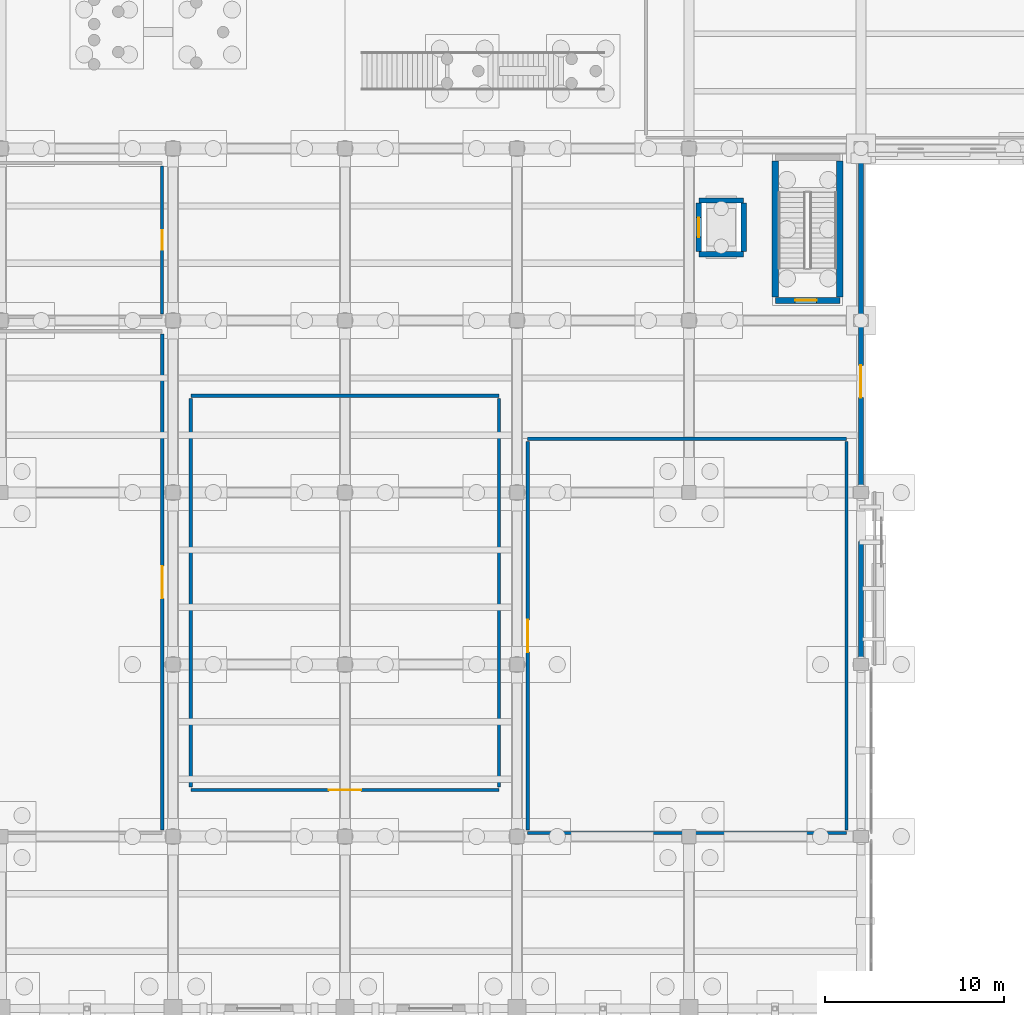
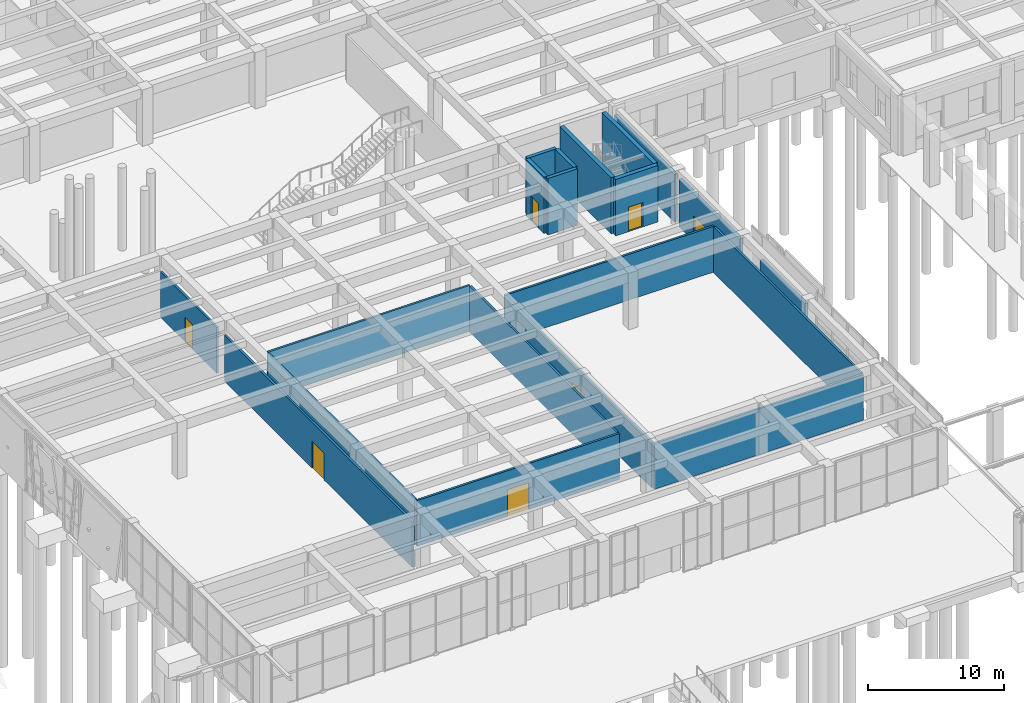
# One storey, part 31 of 51: 20 walls, 7 doors, 7 openings.
"""IFC4 building model written with IfcOpenShell, lengths in metres."""

from ifc_helpers import new_model, si_unit, direction, frame, frame_2d, origin, place, context, subcontext, project, spatial, rectangle, extrude, material, layer, layer_set, type_object, element, fill, save


model = new_model("IFC4")

# Units and contexts
model_context = context("Model", 3, precision=1e-05, world=origin(), true_north=direction((0.0, 1.0)))
body_context = subcontext(model_context, "Body", "Model", "MODEL_VIEW")
ifc_project = project(units=[si_unit("LENGTHUNIT", "METRE"), si_unit("AREAUNIT", "SQUARE_METRE"), si_unit("VOLUMEUNIT", "CUBIC_METRE"), si_unit("PLANEANGLEUNIT", "RADIAN"), si_unit("MASSUNIT", "GRAM", prefix="KILO")], contexts=[model_context])

# Site, building, storey
site_placement = place(None, origin())
site = spatial("IfcSite", under=ifc_project, at=site_placement, CompositionType="ELEMENT")
building_placement = place(site_placement, origin())
building = spatial("IfcBuilding", under=site, at=building_placement, Name="Bempovik Park Faculty of Sciences", CompositionType="ELEMENT")
storey_placement = place(building_placement, origin())
storey = spatial("IfcBuildingStorey", under=building, at=storey_placement, Name="L00", CompositionType="ELEMENT", Elevation=0.0)

# Wall
ifc_material_1 = material(Name="Precast concrete C40/50", Category="concrete")
ifc_layer_1 = layer(ifc_material_1, 0.280029296875)
ifc_layer_set_1 = layer_set([ifc_layer_1], Name="Precast concrete C40/50")
wall_type_1 = type_object("IfcWallType", Name="W-25 Wall 280mm", PredefinedType="SOLIDWALL", material=ifc_layer_set_1)
wall_1_placement = place(storey_placement, frame((117.60009765625, 39.326904296875, 0.0), z_axis=(0.0, 0.0, 1.0), x_axis=(0.0, 1.0, 0.0)))
element("IfcWall", 1, at=wall_1_placement, inside=storey, type_object=wall_type_1, Name="L00 Crystal Backup Wall EW-CRYS-L00-6102", PredefinedType="SOLIDWALL", context=body_context, shape_type="SweptSolid", body=[
    extrude(rectangle(XDim=6.5419921875, YDim=0.280029296875, at=frame_2d((3.27099609375, 0.0))), origin(), (0.0, 0.0, 1.0), 4.280029296875),
])

# Wall, opening, door
wall_2_placement = place(storey_placement, frame((117.60009765625, 48.927001953125, 0.0), z_axis=(0.0, 0.0, 1.0), x_axis=(0.0, 1.0, 0.0)))
wall_2 = element("IfcWall", 2, at=wall_2_placement, inside=storey, type_object=wall_type_1, Name="Crystal Core Discharge Wall EW-L00-6127", PredefinedType="SOLIDWALL", context=body_context, shape_type="SweptSolid", body=[
    extrude(rectangle(XDim=8.946044921875, YDim=0.280029296875, at=frame_2d((4.47314453125, 0.0))), origin(), (0.0, 0.0, 1.0), 4.280029296875),
])
opening_1_placement = place(wall_2_placement, frame((4.972900390625, 0.0, 0.0)))
opening_1 = element("IfcOpeningElement", 3, at=opening_1_placement, cuts=wall_2, Name="Opening D-57", PredefinedType="OPENING", context=body_context, shape_type="SweptSolid", body=[
    extrude(rectangle(XDim=1.800048828125, YDim=2.300048828125, at=frame_2d((0.89990234375, 1.14990234375))), frame((0.0, 0.14990234375, 0.0), z_axis=(0.0, -1.0, 0.0), x_axis=(1.0, 0.0, 0.0)), (0.0, 0.0, 1.0), 0.300048828125),
])
ifc_material_2 = material(Name="Painted steel S355", Category="steel")
door_type_1 = type_object("IfcDoorType", Name="D-57 Door 1800x2300", OperationType="NOTDEFINED", PredefinedType="DOOR", material=ifc_material_2)
door_1_placement = place(opening_1_placement, frame((1.800048828125, 0.0, 0.0), z_axis=(0.0, 0.0, 1.0), x_axis=(-1.0, 0.0, 0.0)))
door_1 = element("IfcDoor", 4, at=door_1_placement, inside=storey, type_object=door_type_1, Name="Stair ST-5 Final Court Discharge Door", OperationType="DOUBLE_DOOR_SINGLE_SWING", OverallHeight=2.300048828125, OverallWidth=1.800048828125, PredefinedType="DOOR", context=body_context, shape_type="SweptSolid", body=[
    extrude(rectangle(XDim=1.800048828125, YDim=2.300048828125, at=frame_2d((0.89990234375, 1.14990234375))), frame((0.0, 0.02490234375, 0.0), z_axis=(0.0, -1.0, 0.0), x_axis=(1.0, 0.0, 0.0)), (0.0, 0.0, 1.0), 0.050048828125),
])
fill(opening_1, door_1)

# Walls
wall_3_placement = place(storey_placement, frame((117.60009765625, 58.527099609375, 0.0), z_axis=(0.0, 0.0, 1.0), x_axis=(0.0, 1.0, 0.0)))
element("IfcWall", 5, at=wall_3_placement, inside=storey, type_object=wall_type_1, Name="Crystal Core Discharge Wall EW-L00-6128", PredefinedType="SOLIDWALL", context=body_context, shape_type="SweptSolid", body=[
    extrude(rectangle(XDim=8.870849609375, YDim=0.280029296875, at=frame_2d((4.435546875, 0.0))), origin(), (0.0, 0.0, 1.0), 4.280029296875),
])
ifc_material_3 = material(Name="Concrete C40/50", Category="concrete")
ifc_layer_2 = layer(ifc_material_3, 0.300048828125)
ifc_layer_set_2 = layer_set([ifc_layer_2], Name="Concrete C40/50")
wall_type_2 = type_object("IfcWallType", Name="W-31 Wall 300mm", PredefinedType="SHEAR", material=ifc_layer_set_2)
for number, where, z_axis, x_axis, name in (
    (6, (108.550048828125, 61.89990234375, 0.0), (0.0, 0.0, 1.0), (1.0, 0.0, 0.0), "Lift LF-4 L00 Shaft Wall South"),
    (7, (108.550048828125, 64.89990234375, 0.0), (0.0, 0.0, 1.0), (1.0, 0.0, 0.0), "Lift LF-4 L00 Shaft Wall North"),
):
    element("IfcWall", number, at=place(storey_placement, frame(where, z_axis=z_axis, x_axis=x_axis)), inside=storey, type_object=wall_type_2, Name=name, PredefinedType="SHEAR", context=body_context, shape_type="SweptSolid", body=[
        extrude(rectangle(XDim=2.5, YDim=0.300048828125, at=frame_2d((1.25, 0.0))), origin(), (0.0, 0.0, 1.0), 5.080078125),
    ])

# Wall, opening, door
wall_4_placement = place(storey_placement, frame((108.550048828125, 62.050048828125, 0.0), z_axis=(0.0, 0.0, 1.0), x_axis=(0.0, 1.0, 0.0)))
wall_4 = element("IfcWall", 8, at=wall_4_placement, inside=storey, type_object=wall_type_2, Name="Lift LF-4 L00 Shaft Wall West", PredefinedType="SHEAR", context=body_context, shape_type="SweptSolid", body=[
    extrude(rectangle(XDim=2.699951171875, YDim=0.300048828125, at=frame_2d((1.35009765625, 0.0))), origin(), (0.0, 0.0, 1.0), 5.080078125),
])
opening_2_placement = place(wall_4_placement, frame((0.800048828125, 0.0, 0.0)))
opening_2 = element("IfcOpeningElement", 9, at=opening_2_placement, cuts=wall_4, Name="Opening LD-02", PredefinedType="OPENING", context=body_context, shape_type="SweptSolid", body=[
    extrude(rectangle(XDim=1.10009765625, YDim=2.199951171875, at=frame_2d((0.550048828125, 1.10009765625))), frame((0.0, 0.16015625, 0.0), z_axis=(0.0, -1.0, 0.0), x_axis=(1.0, 0.0, 0.0)), (0.0, 0.0, 1.0), 0.320068359375),
])
ifc_material_4 = material(Name="Anodised aluminium", Category="aluminium")
door_type_2 = type_object("IfcDoorType", Name="LD-02 Door 1100x2200", OperationType="NOTDEFINED", PredefinedType="DOOR", material=ifc_material_4)
door_2_placement = place(opening_2_placement, origin())
door_2 = element("IfcDoor", 10, at=door_2_placement, inside=storey, type_object=door_type_2, Name="Lift LF-4 L00 Sliding Landing Door", OperationType="SLIDING_TO_LEFT", OverallHeight=2.199951171875, OverallWidth=1.10009765625, PredefinedType="DOOR", context=body_context, shape_type="SweptSolid", body=[
    extrude(rectangle(XDim=1.10009765625, YDim=2.199951171875, at=frame_2d((0.550048828125, 1.10009765625))), frame((0.0, 0.02490234375, 0.0), z_axis=(0.0, -1.0, 0.0), x_axis=(1.0, 0.0, 0.0)), (0.0, 0.0, 1.0), 0.050048828125),
])
fill(opening_2, door_2)

# Wall
wall_5_placement = place(storey_placement, frame((111.050048828125, 62.050048828125, 0.0), z_axis=(0.0, 0.0, 1.0), x_axis=(0.0, 1.0, 0.0)))
element("IfcWall", 11, at=wall_5_placement, inside=storey, type_object=wall_type_2, Name="Lift LF-4 L00 Shaft Wall East", PredefinedType="SHEAR", context=body_context, shape_type="SweptSolid", body=[
    extrude(rectangle(XDim=2.699951171875, YDim=0.300048828125, at=frame_2d((1.35009765625, 0.0))), origin(), (0.0, 0.0, 1.0), 5.080078125),
])

# Wall, opening, door
ifc_layer_3 = layer(ifc_material_3, 0.35009765625)
ifc_layer_set_3 = layer_set([ifc_layer_3], Name="Concrete C40/50")
wall_type_3 = type_object("IfcWallType", Name="W-46 Wall 350mm", PredefinedType="SHEAR", material=ifc_layer_set_3)
wall_6_placement = place(storey_placement, frame((112.824951171875, 59.324951171875, 0.0), z_axis=(0.0, 0.0, 1.0), x_axis=(1.0, 0.0, 0.0)))
wall_6 = element("IfcWall", 12, at=wall_6_placement, inside=storey, type_object=wall_type_3, Name="ST-5 L00 Core Shear Wall South", PredefinedType="SHEAR", context=body_context, shape_type="SweptSolid", body=[
    extrude(rectangle(XDim=3.60009765625, YDim=0.35009765625, at=frame_2d((1.800048828125, 0.0))), origin(), (0.0, 0.0, 1.0), 5.080078125),
])
opening_3_placement = place(wall_6_placement, frame((1.10009765625, 0.0, 0.0)))
opening_3 = element("IfcOpeningElement", 13, at=opening_3_placement, cuts=wall_6, Name="Opening D-49", PredefinedType="OPENING", context=body_context, shape_type="SweptSolid", body=[
    extrude(rectangle(XDim=1.199951171875, YDim=2.199951171875, at=frame_2d((0.60009765625, 1.10009765625))), frame((0.0, 0.18505859375, 0.0), z_axis=(0.0, -1.0, 0.0), x_axis=(1.0, 0.0, 0.0)), (0.0, 0.0, 1.0), 0.3701171875),
])
door_type_3 = type_object("IfcDoorType", Name="D-49 Door 1200x2200", OperationType="NOTDEFINED", PredefinedType="DOOR", material=ifc_material_2)
door_3_placement = place(opening_3_placement, origin())
door_3 = element("IfcDoor", 14, at=door_3_placement, inside=storey, type_object=door_type_3, Name="ST-5 L00 Protected Stair Smoke Door", OperationType="SINGLE_SWING_LEFT", OverallHeight=2.199951171875, OverallWidth=1.199951171875, PredefinedType="DOOR", context=body_context, shape_type="SweptSolid", body=[
    extrude(rectangle(XDim=1.199951171875, YDim=2.199951171875, at=frame_2d((0.60009765625, 1.10009765625))), frame((0.0, 0.02490234375, 0.0), z_axis=(0.0, -1.0, 0.0), x_axis=(1.0, 0.0, 0.0)), (0.0, 0.0, 1.0), 0.050048828125),
])
fill(opening_3, door_3)

# Walls
for number, where, z_axis, x_axis, name in (
    (15, (112.824951171875, 59.52490234375, 0.0), (0.0, 0.0, 1.0), (0.0, 1.0, 0.0), "ST-5 L00 Core Shear Wall West"),
    (16, (116.425048828125, 59.52490234375, 0.0), (0.0, 0.0, 1.0), (0.0, 1.0, 0.0), "ST-5 L00 Core Shear Wall East"),
):
    element("IfcWall", number, at=place(storey_placement, frame(where, z_axis=z_axis, x_axis=x_axis)), inside=storey, type_object=wall_type_3, Name=name, PredefinedType="SHEAR", context=body_context, shape_type="SweptSolid", body=[
        extrude(rectangle(XDim=7.5751953125, YDim=0.35009765625, at=frame_2d((3.78759765625, 0.0))), origin(), (0.0, 0.0, 1.0), 5.080078125),
    ])

# Wall, opening, door
ifc_material_5 = material(Name="Concrete C35/45", Category="concrete")
ifc_layer_4 = layer(ifc_material_5, 0.169921875)
ifc_layer_set_4 = layer_set([ifc_layer_4], Name="Concrete C35/45")
wall_type_4 = type_object("IfcWallType", Name="W-50 Wall 170mm", PredefinedType="PARTITIONING", material=ifc_layer_set_4)
wall_7_placement = place(storey_placement, frame((78.60009765625, 58.56005859375, 0.0), z_axis=(0.0, 0.0, 1.0), x_axis=(0.0, 1.0, 0.0)))
wall_7 = element("IfcWall", 17, at=wall_7_placement, inside=storey, type_object=wall_type_4, Name="L00 Lecture Demonstration Preparation Room Partition East", PredefinedType="PARTITIONING", context=body_context, shape_type="SweptSolid", body=[
    extrude(rectangle(XDim=8.280029296875, YDim=0.169921875, at=frame_2d((4.14013671875, 0.0))), origin(), (0.0, 0.0, 1.0), 4.1201171875),
])
opening_4_placement = place(wall_7_placement, frame((3.590087890625, 0.0, 0.0)))
opening_4 = element("IfcOpeningElement", 18, at=opening_4_placement, cuts=wall_7, Name="Opening D-65", PredefinedType="OPENING", context=body_context, shape_type="SweptSolid", body=[
    extrude(rectangle(XDim=1.10009765625, YDim=2.199951171875, at=frame_2d((0.550048828125, 1.10009765625))), frame((0.0, 0.094970703125, 0.0), z_axis=(0.0, -1.0, 0.0), x_axis=(1.0, 0.0, 0.0)), (0.0, 0.0, 1.0), 0.18994140625),
])
ifc_material_6 = material(Name="West African hardwood finish", Category="wood")
door_type_4 = type_object("IfcDoorType", Name="D-65 Door 1100x2200", OperationType="NOTDEFINED", PredefinedType="DOOR", material=ifc_material_6)
door_4_placement = place(opening_4_placement, origin())
door_4 = element("IfcDoor", 19, at=door_4_placement, inside=storey, type_object=door_type_4, Name="L00 Lecture Demonstration Preparation Room Door", OperationType="SINGLE_SWING_RIGHT", OverallHeight=2.199951171875, OverallWidth=1.10009765625, PredefinedType="DOOR", context=body_context, shape_type="SweptSolid", body=[
    extrude(rectangle(XDim=1.10009765625, YDim=2.199951171875, at=frame_2d((0.550048828125, 1.10009765625))), frame((0.0, 0.02490234375, 0.0), z_axis=(0.0, -1.0, 0.0), x_axis=(1.0, 0.0, 0.0)), (0.0, 0.0, 1.0), 0.050048828125),
])
fill(opening_4, door_4)

ifc_material_7 = material(Name="Gypsum acoustic stud assembly")
ifc_layer_5 = layer(ifc_material_7, 0.179931640625)
ifc_layer_set_5 = layer_set([ifc_layer_5], Name="Gypsum acoustic stud assembly")
wall_type_5 = type_object("IfcWallType", Name="W-53 Wall 180mm", PredefinedType="PARTITIONING", material=ifc_layer_set_5)
wall_8_placement = place(storey_placement, frame((78.60009765625, 29.760009765625, 0.0), z_axis=(0.0, 0.0, 1.0), x_axis=(0.0, 1.0, 0.0)))
wall_8 = element("IfcWall", 20, at=wall_8_placement, inside=storey, type_object=wall_type_5, Name="L00 West Raked Lecture Theatre Partition East", PredefinedType="PARTITIONING", context=body_context, shape_type="SweptSolid", body=[
    extrude(rectangle(XDim=27.679931640625, YDim=0.179931640625, at=frame_2d((13.83984375, 0.0))), origin(), (0.0, 0.0, 1.0), 4.1201171875),
])
opening_5_placement = place(wall_8_placement, frame((12.93994140625, 0.0, 0.0)))
opening_5 = element("IfcOpeningElement", 21, at=opening_5_placement, cuts=wall_8, Name="Opening D-61", PredefinedType="OPENING", context=body_context, shape_type="SweptSolid", body=[
    extrude(rectangle(XDim=1.800048828125, YDim=2.39990234375, at=frame_2d((0.89990234375, 1.199951171875))), frame((0.0, 0.10009765625, 0.0), z_axis=(0.0, -1.0, 0.0), x_axis=(1.0, 0.0, 0.0)), (0.0, 0.0, 1.0), 0.199951171875),
])
door_type_5 = type_object("IfcDoorType", Name="D-61 Door 1800x2400", OperationType="NOTDEFINED", PredefinedType="DOOR", material=ifc_material_6)
door_5_placement = place(opening_5_placement, origin())
door_5 = element("IfcDoor", 22, at=door_5_placement, inside=storey, type_object=door_type_5, Name="L00 West Raked Lecture Theatre Door", OperationType="DOUBLE_DOOR_SINGLE_SWING", OverallHeight=2.39990234375, OverallWidth=1.800048828125, PredefinedType="DOOR", context=body_context, shape_type="SweptSolid", body=[
    extrude(rectangle(XDim=1.800048828125, YDim=2.39990234375, at=frame_2d((0.89990234375, 1.199951171875))), frame((0.0, 0.02490234375, 0.0), z_axis=(0.0, -1.0, 0.0), x_axis=(1.0, 0.0, 0.0)), (0.0, 0.0, 1.0), 0.050048828125),
])
fill(opening_5, door_5)

# Walls
for number, where, z_axis, x_axis, name in (
    (23, (99.0, 29.60009765625, 0.0), (0.0, 0.0, 1.0), (1.0, 0.0, 0.0), "L00 East Raked Lecture Theatre Partition South"),
    (24, (99.0, 51.60009765625, 0.0), (0.0, 0.0, 1.0), (1.0, 0.0, 0.0), "L00 East Raked Lecture Theatre Partition North"),
):
    element("IfcWall", number, at=place(storey_placement, frame(where, z_axis=z_axis, x_axis=x_axis)), inside=storey, type_object=wall_type_5, Name=name, PredefinedType="PARTITIONING", context=body_context, shape_type="SweptSolid", body=[
        extrude(rectangle(XDim=17.800048828125, YDim=0.179931640625, at=frame_2d((8.89990234375, 0.0))), origin(), (0.0, 0.0, 1.0), 4.1201171875),
    ])

# Wall, opening, door
wall_9_placement = place(storey_placement, frame((99.0, 29.760009765625, 0.0), z_axis=(0.0, 0.0, 1.0), x_axis=(0.0, 1.0, 0.0)))
wall_9 = element("IfcWall", 25, at=wall_9_placement, inside=storey, type_object=wall_type_5, Name="L00 East Raked Lecture Theatre Partition West", PredefinedType="PARTITIONING", context=body_context, shape_type="SweptSolid", body=[
    extrude(rectangle(XDim=21.679931640625, YDim=0.179931640625, at=frame_2d((10.83984375, 0.0))), origin(), (0.0, 0.0, 1.0), 4.1201171875),
])
opening_6_placement = place(wall_9_placement, frame((9.93994140625, 0.0, 0.0)))
opening_6 = element("IfcOpeningElement", 26, at=opening_6_placement, cuts=wall_9, Name="Opening D-61", PredefinedType="OPENING", context=body_context, shape_type="SweptSolid", body=[
    extrude(rectangle(XDim=1.800048828125, YDim=2.39990234375, at=frame_2d((0.89990234375, 1.199951171875))), frame((0.0, 0.10009765625, 0.0), z_axis=(0.0, -1.0, 0.0), x_axis=(1.0, 0.0, 0.0)), (0.0, 0.0, 1.0), 0.199951171875),
])
door_6_placement = place(opening_6_placement, origin())
door_6 = element("IfcDoor", 27, at=door_6_placement, inside=storey, type_object=door_type_5, Name="L00 East Raked Lecture Theatre Door", OperationType="DOUBLE_DOOR_SINGLE_SWING", OverallHeight=2.39990234375, OverallWidth=1.800048828125, PredefinedType="DOOR", context=body_context, shape_type="SweptSolid", body=[
    extrude(rectangle(XDim=1.800048828125, YDim=2.39990234375, at=frame_2d((0.89990234375, 1.199951171875))), frame((0.0, 0.02490234375, 0.0), z_axis=(0.0, -1.0, 0.0), x_axis=(1.0, 0.0, 0.0)), (0.0, 0.0, 1.0), 0.050048828125),
])
fill(opening_6, door_6)

# Wall
wall_10_placement = place(storey_placement, frame((116.800048828125, 29.760009765625, 0.0), z_axis=(0.0, 0.0, 1.0), x_axis=(0.0, 1.0, 0.0)))
element("IfcWall", 28, at=wall_10_placement, inside=storey, type_object=wall_type_5, Name="L00 East Raked Lecture Theatre Partition East", PredefinedType="PARTITIONING", context=body_context, shape_type="SweptSolid", body=[
    extrude(rectangle(XDim=21.679931640625, YDim=0.179931640625, at=frame_2d((10.83984375, 0.0))), origin(), (0.0, 0.0, 1.0), 4.1201171875),
])

# Wall, opening, door
wall_11_placement = place(storey_placement, frame((80.199951171875, 32.0, 0.0), z_axis=(0.0, 0.0, 1.0), x_axis=(1.0, 0.0, 0.0)))
wall_11 = element("IfcWall", 29, at=wall_11_placement, inside=storey, type_object=wall_type_5, Name="L00 Central Colloquium Lecture Theatre Partition South", PredefinedType="PARTITIONING", context=body_context, shape_type="SweptSolid", body=[
    extrude(rectangle(XDim=17.199951171875, YDim=0.179931640625, at=frame_2d((8.60009765625, 0.0))), origin(), (0.0, 0.0, 1.0), 4.1201171875),
])
opening_7_placement = place(wall_11_placement, frame((7.699951171875, 0.0, 0.0)))
opening_7 = element("IfcOpeningElement", 30, at=opening_7_placement, cuts=wall_11, Name="Opening D-61", PredefinedType="OPENING", context=body_context, shape_type="SweptSolid", body=[
    extrude(rectangle(XDim=1.800048828125, YDim=2.39990234375, at=frame_2d((0.89990234375, 1.199951171875))), frame((0.0, 0.10009765625, 0.0), z_axis=(0.0, -1.0, 0.0), x_axis=(1.0, 0.0, 0.0)), (0.0, 0.0, 1.0), 0.199951171875),
])
door_7_placement = place(opening_7_placement, origin())
door_7 = element("IfcDoor", 31, at=door_7_placement, inside=storey, type_object=door_type_5, Name="L00 Central Colloquium Lecture Theatre Door", OperationType="DOUBLE_DOOR_SINGLE_SWING", OverallHeight=2.39990234375, OverallWidth=1.800048828125, PredefinedType="DOOR", context=body_context, shape_type="SweptSolid", body=[
    extrude(rectangle(XDim=1.800048828125, YDim=2.39990234375, at=frame_2d((0.89990234375, 1.199951171875))), frame((0.0, 0.02490234375, 0.0), z_axis=(0.0, -1.0, 0.0), x_axis=(1.0, 0.0, 0.0)), (0.0, 0.0, 1.0), 0.050048828125),
])
fill(opening_7, door_7)

# Walls
wall_12_placement = place(storey_placement, frame((80.199951171875, 54.0, 0.0), z_axis=(0.0, 0.0, 1.0), x_axis=(1.0, 0.0, 0.0)))
element("IfcWall", 32, at=wall_12_placement, inside=storey, type_object=wall_type_5, Name="L00 Central Colloquium Lecture Theatre Partition North", PredefinedType="PARTITIONING", context=body_context, shape_type="SweptSolid", body=[
    extrude(rectangle(XDim=17.199951171875, YDim=0.179931640625, at=frame_2d((8.60009765625, 0.0))), origin(), (0.0, 0.0, 1.0), 4.1201171875),
])
for number, where, z_axis, x_axis, name in (
    (33, (80.199951171875, 32.159912109375, 0.0), (0.0, 0.0, 1.0), (0.0, 1.0, 0.0), "L00 Central Colloquium Lecture Theatre Partition West"),
    (34, (97.39990234375, 32.159912109375, 0.0), (0.0, 0.0, 1.0), (0.0, 1.0, 0.0), "L00 Central Colloquium Lecture Theatre Partition East"),
):
    element("IfcWall", number, at=place(storey_placement, frame(where, z_axis=z_axis, x_axis=x_axis)), inside=storey, type_object=wall_type_5, Name=name, PredefinedType="PARTITIONING", context=body_context, shape_type="SweptSolid", body=[
        extrude(rectangle(XDim=21.68017578125, YDim=0.179931640625, at=frame_2d((10.840087890625, 0.0))), origin(), (0.0, 0.0, 1.0), 4.1201171875),
    ])

save(model, "model.ifc")
